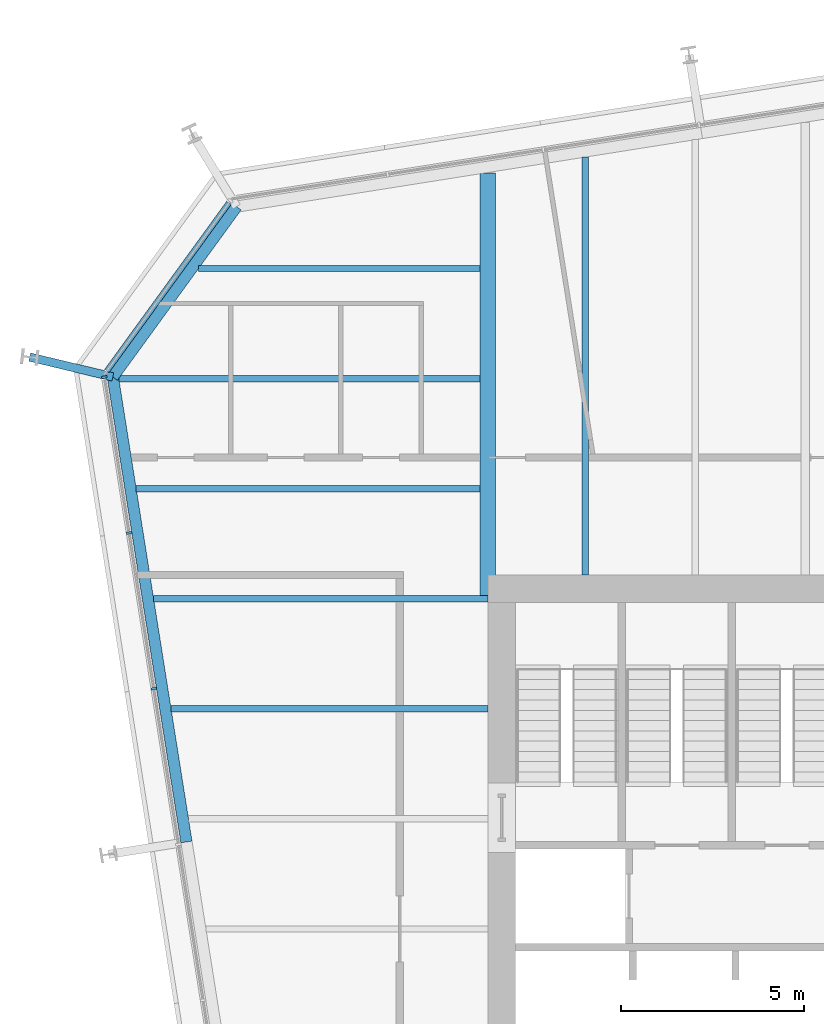
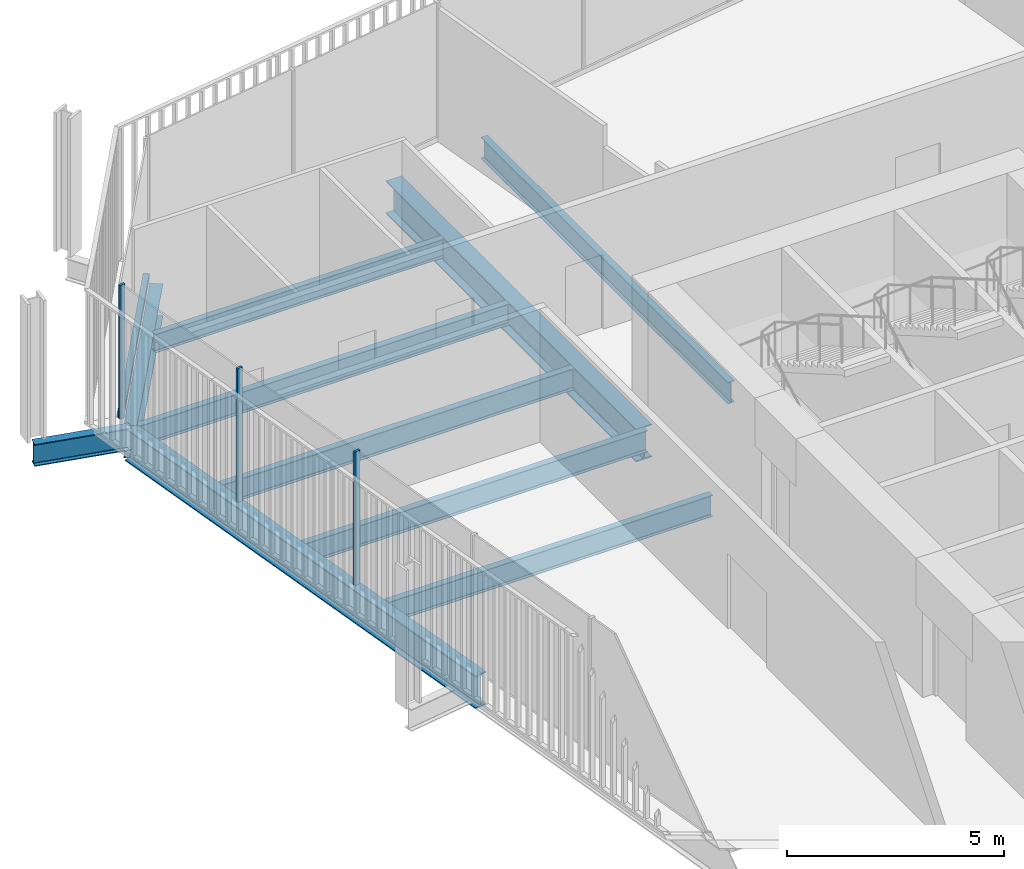
# One storey, part 10 of 21: 10 beams, 4 members, 2 elements without a shape of their own.
"""IFC4 building model written with IfcOpenShell, lengths in metres."""

import ifcopenshell
import ifcopenshell.guid

model = None  # the IFC model being written
_history = None  # IfcOwnerHistory: only IFC2X3 demands one
_inside = {}  # id of a spatial element -> (the spatial element, [elements in it])
_under = {}  # id of a project, library or spatial element -> (it, [spatial elements below it])
_declared = {}  # id of a project -> (the project, [libraries it declares])
_typed = {}  # id of a type object -> (the type object, [elements of that type])
_made_of = {}  # id of a material, layer set ... -> (it, [elements and type objects made of it])


def new_model(schema):
    """Start an empty IFC model of exactly this schema.

    Asked for "IFC4X3", IfcOpenShell would pick the latest addendum, in which some entities
    have other attributes; the version numbers below select the first issue.
    IFC2X3 requires an IfcOwnerHistory on every rooted entity: one is made here for all.
    """
    global model, _history
    if schema == "IFC4X3":
        model = ifcopenshell.file(schema_version=(4, 3, 0, 0))
    else:
        model = ifcopenshell.file(schema=schema)
    _inside.clear()
    _under.clear()
    _declared.clear()
    _typed.clear()
    _made_of.clear()
    _history = None
    if model.schema == "IFC2X3":
        org = make("IfcOrganization", Name="unknown")
        user = make(
            "IfcPersonAndOrganization",
            ThePerson=make("IfcPerson", FamilyName="unknown"),
            TheOrganization=org,
        )
        app = make(
            "IfcApplication",
            ApplicationDeveloper=org,
            Version="unknown",
            ApplicationFullName="unknown",
            ApplicationIdentifier="unknown",
        )
        _history = make(
            "IfcOwnerHistory",
            OwningUser=user,
            OwningApplication=app,
            ChangeAction="ADDED",
            CreationDate=0,
        )
    return model


def make(cls, **values):
    """One entity of the class cls with the attributes given. An attribute that is None is left unset."""
    return model.create_entity(
        cls, **{name: value for name, value in values.items() if value is not None}
    )


def rooted(cls, **values):
    """An entity with a GlobalId (a new one), such as an element, a storey or a relation."""
    return make(cls, GlobalId=ifcopenshell.guid.new(), OwnerHistory=_history, **values)


def si_unit(unit_type, name, prefix=None):
    """IfcSIUnit, for example si_unit("LENGTHUNIT", "METRE", prefix="MILLI")."""
    return make("IfcSIUnit", UnitType=unit_type, Prefix=prefix, Name=name)


def assignment(units):
    """IfcUnitAssignment: the units of a project."""
    return None if units is None else make("IfcUnitAssignment", Units=units)


def point(xyz):
    """IfcCartesianPoint."""
    return None if xyz is None else make("IfcCartesianPoint", Coordinates=xyz)


def direction(xyz):
    """IfcDirection."""
    return None if xyz is None else make("IfcDirection", DirectionRatios=xyz)


def frame(location, z_axis=None, x_axis=None):
    """IfcAxis2Placement3D, a coordinate frame: its origin and axes. An axis left out is left unset."""
    return make(
        "IfcAxis2Placement3D",
        Location=point(location),
        Axis=direction(z_axis),
        RefDirection=direction(x_axis),
    )


def frame_2d(location, x_axis=None):
    """IfcAxis2Placement2D, a coordinate frame in the plane: its origin and x axis."""
    return make(
        "IfcAxis2Placement2D", Location=point(location), RefDirection=direction(x_axis)
    )


def origin():
    """The frame at (0, 0, 0) with its axes left unset."""
    return frame((0.0, 0.0, 0.0))


def origin_2d():
    """The frame at (0, 0) in the plane with its x axis left unset."""
    return frame_2d((0.0, 0.0))


def place(relative_to, where):
    """IfcLocalPlacement: puts the frame where relative to a parent placement (None: the world)."""
    return make(
        "IfcLocalPlacement", PlacementRelTo=relative_to, RelativePlacement=where
    )


def context(
    kind, dimensions, precision=None, world=None, true_north=None, identifier=None
):
    """IfcGeometricRepresentationContext, for example the 3D "Model" context."""
    return make(
        "IfcGeometricRepresentationContext",
        ContextIdentifier=identifier,
        ContextType=kind,
        CoordinateSpaceDimension=dimensions,
        Precision=precision,
        WorldCoordinateSystem=world,
        TrueNorth=true_north,
    )


def subcontext(parent, identifier, kind, view, scale=None):
    """IfcGeometricRepresentationSubContext, for example "Body" below "Model"."""
    return make(
        "IfcGeometricRepresentationSubContext",
        ContextIdentifier=identifier,
        ContextType=kind,
        ParentContext=parent,
        TargetScale=scale,
        TargetView=view,
    )


def project(units=None, contexts=None):
    """IfcProject with its units and contexts."""
    return rooted(
        "IfcProject",
        Name="project",
        RepresentationContexts=contexts,
        UnitsInContext=assignment(units),
    )


def spatial(cls, under=None, at=None, **own):
    """A site, building, storey or space (cls), placed at a placement, below another one or the project."""
    s = rooted(cls, ObjectPlacement=at, **own)
    if under is not None:
        _under.setdefault(under.id(), (under, []))[1].append(s)
    return s


def profile(cls, at=None, kind="AREA", **sizes):
    """A parametric profile (cls). Its sizes go by their IFC names, for example OverallWidth=200.0."""
    return make(cls, ProfileType=kind, Position=at, **sizes)


def rectangle(**sizes):
    """IfcRectangleProfileDef."""
    return profile("IfcRectangleProfileDef", **sizes)


def i_section(**sizes):
    """IfcIShapeProfileDef."""
    return profile("IfcIShapeProfileDef", **sizes)


def extrude(swept, where, along, depth):
    """IfcExtrudedAreaSolid: the profile swept, set in the frame where, extruded along a direction by depth."""
    return make(
        "IfcExtrudedAreaSolid",
        SweptArea=swept,
        Position=where,
        ExtrudedDirection=direction(along),
        Depth=depth,
    )


def shape(context_of_items, identifier, shape_type, items):
    """IfcShapeRepresentation: the items that make up one representation, for example the "Body"."""
    return make(
        "IfcShapeRepresentation",
        ContextOfItems=context_of_items,
        RepresentationIdentifier=identifier,
        RepresentationType=shape_type,
        Items=items,
    )


def material(Name=None, Category=None):
    """IfcMaterial."""
    return make("IfcMaterial", Name=Name, Category=Category)


def layer(
    of_material, thickness, ventilated=None, Name=None, Category=None, Priority=None
):
    """IfcMaterialLayer: one layer of a wall or slab, of a material (None: an air gap)."""
    return make(
        "IfcMaterialLayer",
        Material=of_material,
        LayerThickness=thickness,
        IsVentilated=ventilated,
        Name=Name,
        Category=Category,
        Priority=Priority,
    )


def layer_set(layers, Name=None):
    """IfcMaterialLayerSet."""
    return make("IfcMaterialLayerSet", MaterialLayers=layers, LayerSetName=Name)


def material_profile(
    of_material, cross_section, Name=None, Category=None, Priority=None
):
    """IfcMaterialProfile: a cross section and its material."""
    return make(
        "IfcMaterialProfile",
        Name=Name,
        Material=of_material,
        Profile=cross_section,
        Priority=Priority,
        Category=Category,
    )


def profile_set(profiles, Name=None, composite=None):
    """IfcMaterialProfileSet."""
    return make(
        "IfcMaterialProfileSet",
        Name=Name,
        MaterialProfiles=profiles,
        CompositeProfile=composite,
    )


def made_of(thing, what):
    """Note that an element or type object is made of a material, layer set ...; save() writes the relation."""
    if what is not None:
        _made_of.setdefault(what.id(), (what, []))[1].append(thing)
    return thing


def type_object(cls, material=None, **own):
    """A type object (cls), such as IfcWallType, which elements share."""
    return made_of(rooted(cls, **own), material)


def element(
    cls,
    number,
    at=None,
    inside=None,
    cuts=None,
    type_object=None,
    material=None,
    context=None,
    identifier="Body",
    shape_type=None,
    held_by="IfcProductDefinitionShape",
    body=None,
    shapes=None,
    **own,
):
    """One element of the class cls, such as IfcWall. Its Tag is "e" and its number.

    at: its placement. inside: the storey or other place that contains it. cuts: it is an
    opening in that element (IfcRelVoidsElement). A single representation is given by context,
    identifier, shape_type and body (its items); several are given by shapes. held_by: the class
    of the entity that holds the representations. save() writes the other relations.
    """
    e = rooted(cls, Tag="e%d" % number, ObjectPlacement=at, **own)
    if body is not None:
        shapes = [shape(context, identifier, shape_type, body)]
    if shapes is not None:
        e.Representation = make(held_by, Representations=shapes)
    if inside is not None:
        _inside.setdefault(inside.id(), (inside, []))[1].append(e)
    if cuts is not None:
        rooted(
            "IfcRelVoidsElement", RelatingBuildingElement=cuts, RelatedOpeningElement=e
        )
    if type_object is not None:
        _typed.setdefault(type_object.id(), (type_object, []))[1].append(e)
    return made_of(e, material)


def aggregate(whole, parts):
    """IfcRelAggregates: a whole, such as a stair, and the parts it consists of."""
    return rooted("IfcRelAggregates", RelatingObject=whole, RelatedObjects=parts)


def save(model, path):
    """Write the relations noted so far, then the file.

    IfcRelAggregates (storeys below a building ...), IfcRelContainedInSpatialStructure (elements
    in a storey), IfcRelDefinesByType, IfcRelAssociatesMaterial and IfcRelDeclares: one each for
    every whole, place, type object, material and project.
    """
    for whole, parts in _under.values():
        aggregate(whole, parts)
    for where, things in _inside.values():
        rooted(
            "IfcRelContainedInSpatialStructure",
            RelatedElements=things,
            RelatingStructure=where,
        )
    for kind, things in _typed.values():
        rooted("IfcRelDefinesByType", RelatedObjects=things, RelatingType=kind)
    for what, things in _made_of.values():
        rooted("IfcRelAssociatesMaterial", RelatedObjects=things, RelatingMaterial=what)
    for by, libraries in _declared.values():
        rooted("IfcRelDeclares", RelatingContext=by, RelatedDefinitions=libraries)
    model.write(path)


model = new_model("IFC4")

# Units and contexts
model_context = context("Model", 3, precision=1e-05, world=origin(), true_north=direction((0.0, 1.0)))
body_context = subcontext(model_context, "Body", "Model", "MODEL_VIEW")
ifc_project = project(units=[si_unit("LENGTHUNIT", "METRE"), si_unit("AREAUNIT", "SQUARE_METRE"), si_unit("VOLUMEUNIT", "CUBIC_METRE"), si_unit("PLANEANGLEUNIT", "RADIAN"), si_unit("MASSUNIT", "GRAM", prefix="KILO")], contexts=[model_context])

# Site, building, storey
site_placement = place(None, origin())
site = spatial("IfcSite", under=ifc_project, at=site_placement, CompositionType="ELEMENT")
building_placement = place(site_placement, origin())
building = spatial("IfcBuilding", under=site, at=building_placement, Name="Millrace Tower", CompositionType="ELEMENT")
storey_placement = place(building_placement, frame((0.0, 0.0, 133.39990234375)))
storey = spatial("IfcBuildingStorey", under=building, at=storey_placement, Name="L29", CompositionType="ELEMENT", Elevation=133.39990234375)

# Curtain wall, members
ifc_material_1 = material(Name="Aluminium and glass", Category="aluminium")
ifc_layer = layer(ifc_material_1, 0.14990234375)
ifc_layer_set = layer_set([ifc_layer], Name="Aluminium and glass")
curtain_wall_type = type_object("IfcCurtainWallType", Name="CW-1 office vision curtain wall", PredefinedType="NOTDEFINED", material=ifc_layer_set)
placement = place(storey_placement, origin())
curtain_wall_1 = element("IfcCurtainWall", 1, at=placement, inside=storey, type_object=curtain_wall_type, Name="Curtain wall C-F08 L29", PredefinedType="NOTDEFINED")
ifc_material_2 = material(Name="Aluminium", Category="aluminium")
ifc_material_profile_1 = material_profile(ifc_material_2, rectangle(XDim=0.06494140625, YDim=0.14990234375, at=origin_2d()))
ifc_profile_set_1 = profile_set([ifc_material_profile_1], Name="Aluminium")
member_type_1 = type_object("IfcMemberType", Name="CW-1 office vision curtain wall mullion", PredefinedType="MULLION", material=ifc_profile_set_1)
member_1_placement = place(storey_placement, frame((-25.106689453125, 15.041748046875, 0.14013671875), z_axis=(0.0, 0.0, 1.0), x_axis=(0.15643447328, -0.98768833929, 0.0)))
member_1 = element("IfcMember", 2, at=member_1_placement, type_object=member_type_1, Name="CW1 mullion C-F08.1", PredefinedType="MULLION", context=body_context, shape_type="SweptSolid", body=[
    extrude(rectangle(XDim=0.06494140625, YDim=0.14990234375, at=origin_2d()), origin(), (0.0, 0.0, 1.0), 3.760009765625),
])
member_2_placement = place(storey_placement, frame((-24.43408203125, 10.794677734375, 0.14013671875), z_axis=(0.0, 0.0, 1.0), x_axis=(0.15643447328, -0.98768833929, 0.0)))
member_2 = element("IfcMember", 3, at=member_2_placement, type_object=member_type_1, Name="CW1 mullion C-F08.2", PredefinedType="MULLION", context=body_context, shape_type="SweptSolid", body=[
    extrude(rectangle(XDim=0.06494140625, YDim=0.14990234375, at=origin_2d()), origin(), (0.0, 0.0, 1.0), 3.760009765625),
])
member_3_placement = place(storey_placement, frame((-23.76123046875, 6.547607421875, 0.14013671875), z_axis=(0.0, 0.0, 1.0), x_axis=(0.15643447328, -0.98768833929, 0.0)))
member_3 = element("IfcMember", 4, at=member_3_placement, type_object=member_type_1, Name="CW1 mullion C-F08.3", PredefinedType="MULLION", context=body_context, shape_type="SweptSolid", body=[
    extrude(rectangle(XDim=0.06494140625, YDim=0.14990234375, at=origin_2d()), origin(), (0.0, 0.0, 1.0), 3.760009765625),
])
aggregate(curtain_wall_1, [member_1, member_2, member_3])

# Curtain wall, member
curtain_wall_2 = element("IfcCurtainWall", 5, at=placement, inside=storey, type_object=curtain_wall_type, Name="Curtain wall C-F07 L29", PredefinedType="NOTDEFINED")
ifc_material_3 = material(Name="Aluminium", Category="aluminium")
ifc_material_profile_2 = material_profile(ifc_material_3, rectangle(XDim=0.14990234375, YDim=0.139892578125, at=origin_2d()))
ifc_profile_set_2 = profile_set([ifc_material_profile_2], Name="Aluminium")
member_type_2 = type_object("IfcMemberType", Name="CW-1 office vision curtain wall transom", PredefinedType="USERDEFINED", material=ifc_profile_set_2)
member_4_placement = place(storey_placement, frame((-21.70751953125, 19.796875, 0.070068359375), z_axis=(-0.587761915215, -0.80903394924, 0.0), x_axis=(0.80903394924, -0.587761915215, 0.0)))
member_4 = element("IfcMember", 6, at=member_4_placement, type_object=member_type_2, Name="CW1 transom C-F07.1", ObjectType="TRANSOM", PredefinedType="USERDEFINED", context=body_context, shape_type="SweptSolid", body=[
    extrude(rectangle(XDim=0.14990234375, YDim=0.139892578125, at=origin_2d()), origin(), (0.0, 0.0, 1.0), 5.6689453125),
])
aggregate(curtain_wall_2, [member_4])

# Beams
ifc_material_4 = material(Name="Steel ASTM A992 Grade 50", Category="steel")
ifc_material_profile_3 = material_profile(ifc_material_4, i_section(OverallWidth=0.1650390625, OverallDepth=0.52587890625, WebThickness=0.0087890625, FlangeThickness=0.011474609375, FilletRadius=0.0126953125, at=origin_2d()))
ifc_profile_set_3 = profile_set([ifc_material_profile_3], Name="Steel ASTM A992 Grade 50")
beam_type_1 = type_object("IfcBeamType", Name="Floor beam W21x44", PredefinedType="JOIST", material=ifc_profile_set_3)
beam_1_placement = place(storey_placement, frame((-22.540283203125, 18.0, -0.4228515625), z_axis=(1.0, 0.0, 0.0), x_axis=(0.0, 1.0, 0.0)))
element("IfcBeam", 7, at=beam_1_placement, inside=storey, type_object=beam_type_1, Name="BM-C-L29-S1-S035", PredefinedType="JOIST", context=body_context, shape_type="SweptSolid", body=[
    extrude(i_section(OverallWidth=0.1650390625, OverallDepth=0.52587890625, WebThickness=0.0087890625, FlangeThickness=0.011474609375, FilletRadius=0.0126953125, at=origin_2d()), origin(), (0.0, 0.0, 1.0), 7.6806640625),
])
ifc_material_5 = material(Name="Steel ASTM A992 Grade 50", Category="steel")
ifc_material_profile_4 = material_profile(ifc_material_5, i_section(OverallWidth=0.177978515625, OverallDepth=0.599365234375, WebThickness=0.010009765625, FlangeThickness=0.012939453125, FilletRadius=0.012939453125, at=origin_2d()))
ifc_profile_set_4 = profile_set([ifc_material_profile_4], Name="Steel ASTM A992 Grade 50")
beam_type_2 = type_object("IfcBeamType", Name="Floor beam W24x55", PredefinedType="JOIST", material=ifc_profile_set_4)
beam_2_placement = place(storey_placement, frame((-23.28759765625, 6.0, -0.459716796875), z_axis=(1.0, 0.0, 0.0), x_axis=(0.0, 1.0, 0.0)))
element("IfcBeam", 8, at=beam_2_placement, inside=storey, type_object=beam_type_2, Name="BM-C-L29-S1-S026", PredefinedType="JOIST", context=body_context, shape_type="SweptSolid", body=[
    extrude(i_section(OverallWidth=0.177978515625, OverallDepth=0.599365234375, WebThickness=0.010009765625, FlangeThickness=0.012939453125, FilletRadius=0.012939453125, at=origin_2d()), origin(), (0.0, 0.0, 1.0), 8.6376953125),
])
beam_3_placement = place(storey_placement, frame((-23.7626953125, 9.0, -0.459716796875), z_axis=(1.0, 0.0, 0.0), x_axis=(0.0, 1.0, 0.0)))
element("IfcBeam", 9, at=beam_3_placement, inside=storey, type_object=beam_type_2, Name="BM-C-L29-S1-S029", PredefinedType="JOIST", context=body_context, shape_type="SweptSolid", body=[
    extrude(i_section(OverallWidth=0.177978515625, OverallDepth=0.599365234375, WebThickness=0.010009765625, FlangeThickness=0.012939453125, FilletRadius=0.012939453125, at=origin_2d()), origin(), (0.0, 0.0, 1.0), 9.11279296875),
])
beam_4_placement = place(storey_placement, frame((-24.23779296875, 12.0, -0.459716796875), z_axis=(1.0, 0.0, 0.0), x_axis=(0.0, 1.0, 0.0)))
element("IfcBeam", 10, at=beam_4_placement, inside=storey, type_object=beam_type_2, Name="BM-C-L29-S1-S031", PredefinedType="JOIST", context=body_context, shape_type="SweptSolid", body=[
    extrude(i_section(OverallWidth=0.177978515625, OverallDepth=0.599365234375, WebThickness=0.010009765625, FlangeThickness=0.012939453125, FilletRadius=0.012939453125, at=origin_2d()), origin(), (0.0, 0.0, 1.0), 9.378173828125),
])
beam_5_placement = place(storey_placement, frame((-24.712890625, 15.0, -0.459716796875), z_axis=(1.0, 0.0, 0.0), x_axis=(0.0, 1.0, 0.0)))
element("IfcBeam", 11, at=beam_5_placement, inside=storey, type_object=beam_type_2, Name="BM-C-L29-S1-S033", PredefinedType="JOIST", context=body_context, shape_type="SweptSolid", body=[
    extrude(i_section(OverallWidth=0.177978515625, OverallDepth=0.599365234375, WebThickness=0.010009765625, FlangeThickness=0.012939453125, FilletRadius=0.012939453125, at=origin_2d()), origin(), (0.0, 0.0, 1.0), 9.853271484375),
])
ifc_material_6 = material(Name="Steel ASTM A992 Grade 50", Category="steel")
ifc_material_profile_5 = material_profile(ifc_material_6, i_section(OverallWidth=0.1787109375, OverallDepth=0.60205078125, WebThickness=0.010986328125, FlangeThickness=0.014892578125, FilletRadius=0.0126953125, at=origin_2d()))
ifc_profile_set_5 = profile_set([ifc_material_profile_5], Name="Steel ASTM A992 Grade 50")
beam_type_3 = type_object("IfcBeamType", Name="Floor beam W24x62", PredefinedType="JOIST", material=ifc_profile_set_5)
beam_6_placement = place(storey_placement, frame((-12.0, 9.64990234375, -0.4609375), z_axis=(0.0, 1.0, 0.0), x_axis=(-1.0, 0.0, 0.0)))
element("IfcBeam", 12, at=beam_6_placement, inside=storey, type_object=beam_type_3, Name="BM-C-L29-S1-S039", PredefinedType="JOIST", context=body_context, shape_type="SweptSolid", body=[
    extrude(i_section(OverallWidth=0.1787109375, OverallDepth=0.60205078125, WebThickness=0.010986328125, FlangeThickness=0.014892578125, FilletRadius=0.0126953125, at=origin_2d()), origin(), (0.0, 0.0, 1.0), 11.39111328125),
])
ifc_material_7 = material(Name="Steel ASTM A992 Grade 50", Category="steel")
ifc_material_profile_6 = material_profile(ifc_material_7, i_section(OverallWidth=0.419189453125, OverallDepth=0.927001953125, WebThickness=0.019287109375, FlangeThickness=0.031982421875, FilletRadius=0.024169921875, at=origin_2d()))
ifc_profile_set_6 = profile_set([ifc_material_profile_6], Name="Steel ASTM A992 Grade 50")
beam_type_4 = type_object("IfcBeamType", Name="Girder short span W36x231", PredefinedType="BEAM", material=ifc_profile_set_6)
beam_7_placement = place(storey_placement, frame((-14.64990234375, 9.090087890625, -0.62353515625), z_axis=(0.0, 1.0, 0.0), x_axis=(-1.0, 0.0, 0.0)))
element("IfcBeam", 13, at=beam_7_placement, inside=storey, type_object=beam_type_4, Name="BM-C-L29-S1-G057", PredefinedType="BEAM", context=body_context, shape_type="SweptSolid", body=[
    extrude(i_section(OverallWidth=0.419189453125, OverallDepth=0.927001953125, WebThickness=0.019287109375, FlangeThickness=0.031982421875, FilletRadius=0.024169921875, at=origin_2d()), origin(), (0.0, 0.0, 1.0), 11.523193359375),
])
ifc_material_8 = material(Name="Steel ASTM A992 Grade 50", Category="steel")
ifc_material_profile_7 = material_profile(ifc_material_8, i_section(OverallWidth=0.23046875, OverallDepth=0.6171875, WebThickness=0.01318359375, FlangeThickness=0.022216796875, FilletRadius=0.012939453125, at=origin_2d()))
ifc_profile_set_7 = profile_set([ifc_material_profile_7], Name="Steel ASTM A992 Grade 50")
beam_type_5 = type_object("IfcBeamType", Name="Link beam W24x94", PredefinedType="BEAM", material=ifc_profile_set_7)
beam_8_placement = place(storey_placement, frame((-24.8759765625, 15.046630859375, -0.468505859375), z_axis=(-0.972367333652, 0.233456138164, 0.0), x_axis=(-0.233456138164, -0.972367333652, 0.0)))
element("IfcBeam", 14, at=beam_8_placement, inside=storey, type_object=beam_type_5, Name="LNK-C-L29-S1-04", PredefinedType="BEAM", context=body_context, shape_type="SweptSolid", body=[
    extrude(i_section(OverallWidth=0.23046875, OverallDepth=0.6171875, WebThickness=0.01318359375, FlangeThickness=0.022216796875, FilletRadius=0.012939453125, at=origin_2d()), origin(), (0.0, 0.0, 1.0), 2.3310546875),
])
ifc_material_9 = material(Name="Steel ASTM A992 Grade 50", Category="steel")
ifc_material_profile_8 = material_profile(ifc_material_9, i_section(OverallWidth=0.307373046875, OverallDepth=0.927001953125, WebThickness=0.01953125, FlangeThickness=0.031982421875, FilletRadius=0.01904296875, at=origin_2d()))
ifc_profile_set_8 = profile_set([ifc_material_profile_8], Name="Steel ASTM A992 Grade 50")
beam_type_6 = type_object("IfcBeamType", Name="Ring beam medium span W36x194", PredefinedType="SPANDREL", material=ifc_profile_set_8)
beam_9_placement = place(storey_placement, frame((-22.867919921875, 2.368408203125, -0.62353515625), z_axis=(-0.156436246498, 0.987688058438, 0.0), x_axis=(-0.987688058438, -0.156436246498, 0.0)))
element("IfcBeam", 15, at=beam_9_placement, inside=storey, type_object=beam_type_6, Name="RNG-C-L29-S1-03", PredefinedType="SPANDREL", context=body_context, shape_type="SweptSolid", body=[
    extrude(i_section(OverallWidth=0.307373046875, OverallDepth=0.927001953125, WebThickness=0.01953125, FlangeThickness=0.031982421875, FilletRadius=0.01904296875, at=origin_2d()), origin(), (0.0, 0.0, 1.0), 12.836181640625),
])
ifc_material_10 = material(Name="Steel ASTM A992 Grade 50", Category="steel")
ifc_material_profile_9 = material_profile(ifc_material_10, i_section(OverallWidth=0.307373046875, OverallDepth=0.927001953125, WebThickness=0.01953125, FlangeThickness=0.031982421875, FilletRadius=0.01904296875, at=origin_2d()))
ifc_profile_set_9 = profile_set([ifc_material_profile_9], Name="Steel ASTM A992 Grade 50")
beam_type_7 = type_object("IfcBeamType", Name="Ring beam short span W36x194", PredefinedType="SPANDREL", material=ifc_profile_set_9)
beam_10_placement = place(storey_placement, frame((-24.8759765625, 15.046630859375, -0.62353515625), z_axis=(0.587787348381, 0.809015471473, 0.0), x_axis=(-0.809015471473, 0.587787348381, 0.0)))
element("IfcBeam", 16, at=beam_10_placement, inside=storey, type_object=beam_type_7, Name="RNG-C-L29-S1-04", PredefinedType="SPANDREL", context=body_context, shape_type="SweptSolid", body=[
    extrude(i_section(OverallWidth=0.307373046875, OverallDepth=0.927001953125, WebThickness=0.01953125, FlangeThickness=0.031982421875, FilletRadius=0.01904296875, at=origin_2d()), origin(), (0.0, 0.0, 1.0), 5.741943359375),
])

save(model, "model.ifc")
